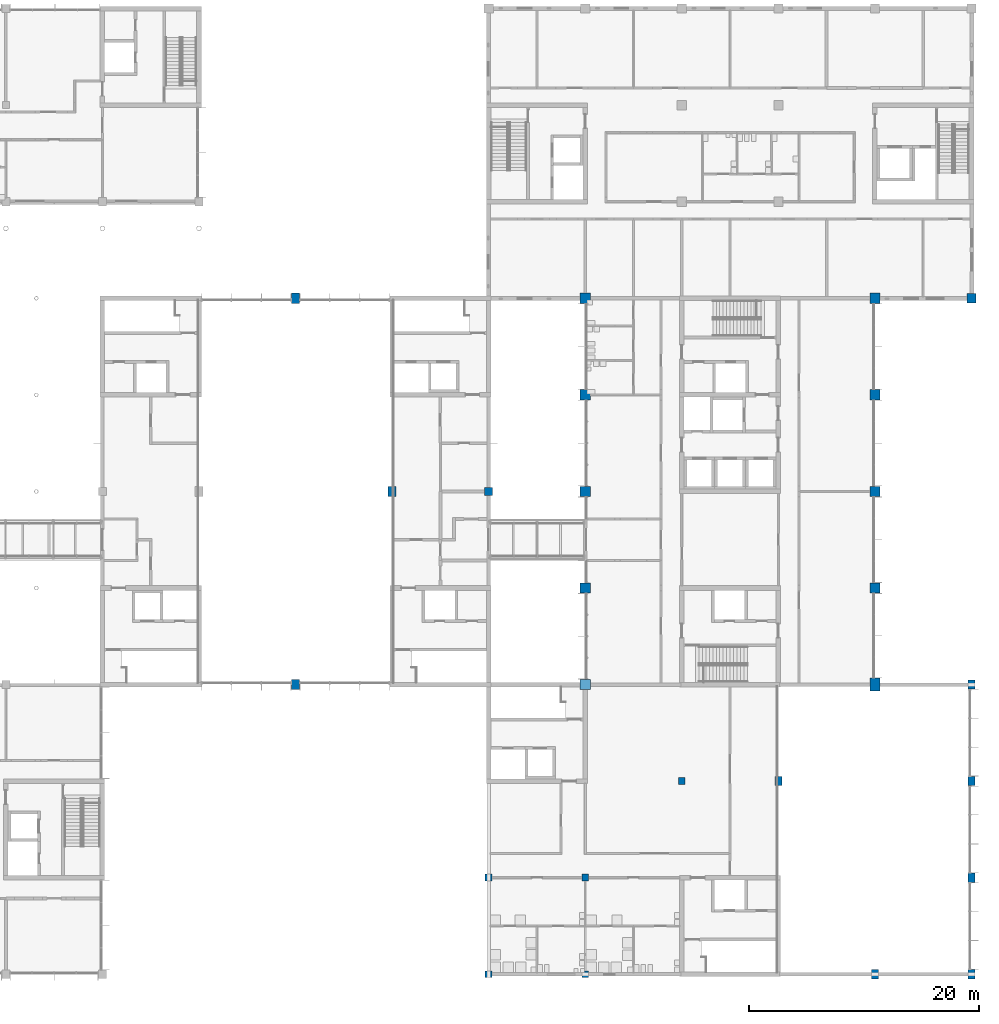
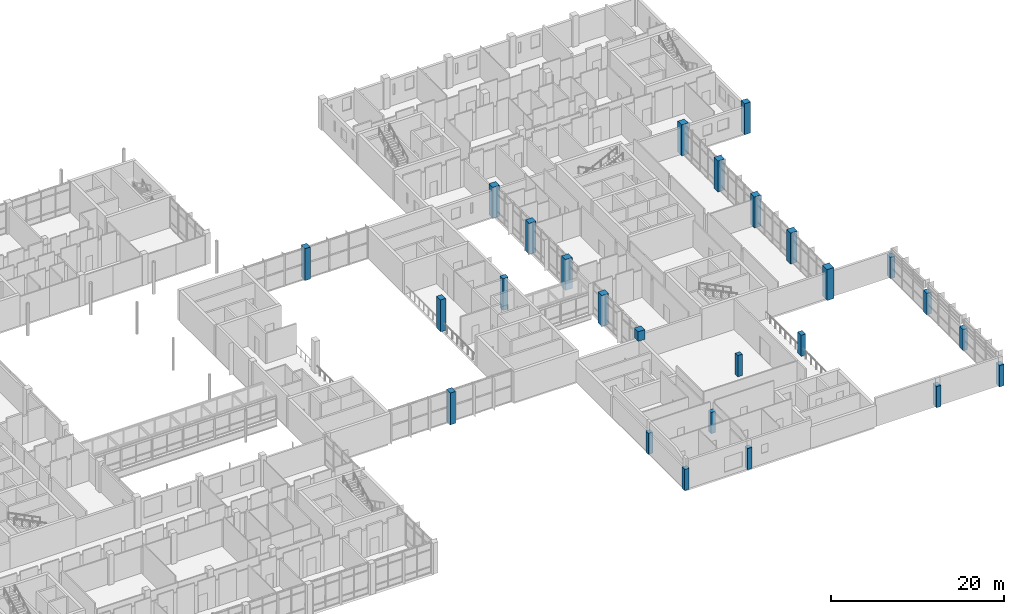
# One storey, part 3 of 70: 26 columns.
"""IFC4 building model written with IfcOpenShell, lengths in metres."""

from ifc_helpers import new_model, si_unit, direction, frame, origin, origin_2d, place, context, subcontext, project, spatial, rectangle, extrude, material, material_profile, profile_set, type_object, element, save


model = new_model("IFC4")

# Units and contexts
model_context = context("Model", 3, precision=1e-05, world=origin(), true_north=direction((0.0, 1.0)))
body_context = subcontext(model_context, "Body", "Model", "MODEL_VIEW")
ifc_project = project(units=[si_unit("LENGTHUNIT", "METRE"), si_unit("AREAUNIT", "SQUARE_METRE"), si_unit("VOLUMEUNIT", "CUBIC_METRE"), si_unit("PLANEANGLEUNIT", "RADIAN"), si_unit("MASSUNIT", "GRAM", prefix="KILO")], contexts=[model_context])

# Site, building, storey
site_placement = place(None, origin())
site = spatial("IfcSite", under=ifc_project, at=site_placement, CompositionType="ELEMENT")
building_placement = place(site_placement, origin())
building = spatial("IfcBuilding", under=site, at=building_placement, Name="Hlaing Beacon Police Headquarters", CompositionType="ELEMENT")
storey_placement = place(building_placement, frame((0.0, 0.0, 5.39990234375)))
storey = spatial("IfcBuildingStorey", under=building, at=storey_placement, Name="L01", CompositionType="ELEMENT", Elevation=5.39990234375)

# Columns
ifc_material_1 = material(Name="Concrete C50/60", Category="concrete")
ifc_material_profile_1 = material_profile(ifc_material_1, rectangle(XDim=0.60009765625, YDim=0.60009765625, at=origin_2d()), Name="600x600")
ifc_profile_set_1 = profile_set([ifc_material_profile_1], Name="Concrete C50/60")
column_type_1 = type_object("IfcColumnType", Name="RC column 600x600 C50/60", PredefinedType="COLUMN", material=ifc_profile_set_1)
for number, where, z_axis, x_axis, name in (
    (1, (92.39990234375, 8.39990234375, 0.0), (0.0, 0.0, 1.0), (1.0, 0.0, 0.0), "STR-COL-L01-M2"),
    (2, (92.39990234375, 16.800048828125, 0.0), (0.0, 0.0, 1.0), (1.0, 0.0, 0.0), "STR-COL-L01-M3"),
    (3, (100.800048828125, 8.39990234375, 0.0), (0.0, 0.0, 1.0), (1.0, 0.0, 0.0), "STR-COL-L01-N2"),
    (4, (100.800048828125, 16.800048828125, 0.0), (0.0, 0.0, 1.0), (1.0, 0.0, 0.0), "STR-COL-L01-N3"),
    (5, (109.199951171875, 25.199951171875, 0.0), (0.0, 0.0, 1.0), (1.0, 0.0, 0.0), "STR-COL-L01-P4"),
):
    element("IfcColumn", number, at=place(storey_placement, frame(where, z_axis=z_axis, x_axis=x_axis)), inside=storey, type_object=column_type_1, Name=name, PredefinedType="COLUMN", context=body_context, shape_type="SweptSolid", body=[
        extrude(rectangle(XDim=0.60009765625, YDim=0.60009765625, at=origin_2d()), origin(), (0.0, 0.0, 1.0), 3.0),
    ])
ifc_material_2 = material(Name="Concrete C50/60", Category="concrete")
ifc_material_profile_2 = material_profile(ifc_material_2, rectangle(XDim=0.60009765625, YDim=0.800048828125, at=origin_2d()), Name="600x800")
ifc_profile_set_2 = profile_set([ifc_material_profile_2], Name="Concrete C50/60")
column_type_2 = type_object("IfcColumnType", Name="RC column 600x800 C50/60", PredefinedType="COLUMN", material=ifc_profile_set_2)
for number, where, z_axis, x_axis, name in (
    (6, (117.60009765625, 25.199951171875, 0.0), (0.0, 0.0, 1.0), (1.0, 0.0, 0.0), "STR-COL-L01-Q4"),
    (7, (126.0, 8.39990234375, 0.0), (0.0, 0.0, 1.0), (1.0, 0.0, 0.0), "STR-COL-L01-R2"),
    (8, (134.39990234375, 8.39990234375, 0.0), (0.0, 0.0, 1.0), (1.0, 0.0, 0.0), "STR-COL-L01-S2"),
    (9, (134.39990234375, 16.800048828125, 0.0), (0.0, 0.0, 1.0), (1.0, 0.0, 0.0), "STR-COL-L01-S3"),
    (10, (134.39990234375, 25.199951171875, 0.0), (0.0, 0.0, 1.0), (1.0, 0.0, 0.0), "STR-COL-L01-S4"),
    (11, (134.39990234375, 33.60009765625, 0.0), (0.0, 0.0, 1.0), (1.0, 0.0, 0.0), "STR-COL-L01-S5"),
):
    element("IfcColumn", number, at=place(storey_placement, frame(where, z_axis=z_axis, x_axis=x_axis)), inside=storey, type_object=column_type_2, Name=name, PredefinedType="COLUMN", context=body_context, shape_type="SweptSolid", body=[
        extrude(rectangle(XDim=0.60009765625, YDim=0.800048828125, at=origin_2d()), origin(), (0.0, 0.0, 1.0), 3.0),
    ])
ifc_material_3 = material(Name="Concrete C50/60", Category="concrete")
ifc_material_profile_3 = material_profile(ifc_material_3, rectangle(XDim=0.699951171875, YDim=0.699951171875, at=origin_2d()), Name="700x700")
ifc_profile_set_3 = profile_set([ifc_material_profile_3], Name="Concrete C50/60")
column_type_3 = type_object("IfcColumnType", Name="RC column 700x700 C50/60", PredefinedType="COLUMN", material=ifc_profile_set_3)
column_1_placement = place(storey_placement, frame((92.39990234375, 50.39990234375, 0.0), z_axis=(0.0, 0.0, 1.0), x_axis=(1.0, 0.0, 0.0)))
element("IfcColumn", 12, at=column_1_placement, inside=storey, type_object=column_type_3, Name="STR-COL-L01-M7", PredefinedType="COLUMN", context=body_context, shape_type="SweptSolid", body=[
    extrude(rectangle(XDim=0.699951171875, YDim=0.699951171875, at=origin_2d()), origin(), (0.0, 0.0, 1.0), 4.5),
])
ifc_material_4 = material(Name="Concrete C50/60", Category="concrete")
ifc_material_profile_4 = material_profile(ifc_material_4, rectangle(XDim=0.699951171875, YDim=0.89990234375, at=origin_2d()), Name="700x900")
ifc_profile_set_4 = profile_set([ifc_material_profile_4], Name="Concrete C50/60")
column_type_4 = type_object("IfcColumnType", Name="RC column 700x900 C50/60", PredefinedType="COLUMN", material=ifc_profile_set_4)
for number, where, z_axis, x_axis, name in (
    (13, (75.60009765625, 33.60009765625, 0.0), (0.0, 0.0, 1.0), (1.0, 0.0, 0.0), "STR-COL-L01-K5"),
    (14, (75.60009765625, 67.199951171875, 0.0), (0.0, 0.0, 1.0), (1.0, 0.0, 0.0), "STR-COL-L01-K9"),
    (15, (84.0, 50.39990234375, 0.0), (0.0, 0.0, 1.0), (1.0, 0.0, 0.0), "STR-COL-L01-L7"),
):
    element("IfcColumn", number, at=place(storey_placement, frame(where, z_axis=z_axis, x_axis=x_axis)), inside=storey, type_object=column_type_4, Name=name, PredefinedType="COLUMN", context=body_context, shape_type="SweptSolid", body=[
        extrude(rectangle(XDim=0.699951171875, YDim=0.89990234375, at=origin_2d()), origin(), (0.0, 0.0, 1.0), 4.5),
    ])
ifc_material_5 = material(Name="Concrete C50/60", Category="concrete")
ifc_material_profile_5 = material_profile(ifc_material_5, rectangle(XDim=0.800048828125, YDim=0.800048828125, at=origin_2d()), Name="800x800")
ifc_profile_set_5 = profile_set([ifc_material_profile_5], Name="Concrete C50/60")
column_type_5 = type_object("IfcColumnType", Name="RC column 800x800 C50/60", PredefinedType="COLUMN", material=ifc_profile_set_5)
column_2_placement = place(storey_placement, frame((134.39990234375, 67.199951171875, 0.0), z_axis=(0.0, 0.0, 1.0), x_axis=(1.0, 0.0, 0.0)))
element("IfcColumn", 16, at=column_2_placement, inside=storey, type_object=column_type_5, Name="STR-COL-L01-S9", PredefinedType="COLUMN", context=body_context, shape_type="SweptSolid", body=[
    extrude(rectangle(XDim=0.800048828125, YDim=0.800048828125, at=origin_2d()), origin(), (0.0, 0.0, 1.0), 4.3701171875),
])
ifc_material_6 = material(Name="Concrete C60/75", Category="concrete")
ifc_material_profile_6 = material_profile(ifc_material_6, rectangle(XDim=0.89990234375, YDim=1.10009765625, at=origin_2d()), Name="900x1100")
ifc_profile_set_6 = profile_set([ifc_material_profile_6], Name="Concrete C60/75")
column_type_6 = type_object("IfcColumnType", Name="RC column 900x1100 C60/75", PredefinedType="COLUMN", material=ifc_profile_set_6)
column_3_placement = place(storey_placement, frame((126.0, 33.60009765625, 0.0), z_axis=(0.0, 0.0, 1.0), x_axis=(1.0, 0.0, 0.0)))
element("IfcColumn", 17, at=column_3_placement, inside=storey, type_object=column_type_6, Name="STR-COL-L01-R5", PredefinedType="COLUMN", context=body_context, shape_type="SweptSolid", body=[
    extrude(rectangle(XDim=0.89990234375, YDim=1.10009765625, at=origin_2d()), origin(), (0.0, 0.0, 1.0), 4.3701171875),
])
ifc_material_7 = material(Name="Concrete C60/75", Category="concrete")
ifc_material_profile_7 = material_profile(ifc_material_7, rectangle(XDim=0.89990234375, YDim=0.89990234375, at=origin_2d()), Name="900x900")
ifc_profile_set_7 = profile_set([ifc_material_profile_7], Name="Concrete C60/75")
column_type_7 = type_object("IfcColumnType", Name="RC column 900x900 C60/75", PredefinedType="COLUMN", material=ifc_profile_set_7)
column_4_placement = place(storey_placement, frame((100.800048828125, 33.60009765625, 3.0), z_axis=(0.0, 0.0, 1.0), x_axis=(1.0, 0.0, 0.0)))
element("IfcColumn", 18, at=column_4_placement, inside=storey, type_object=column_type_7, Name="STR-COL-L01-N5", PredefinedType="COLUMN", context=body_context, shape_type="SweptSolid", body=[
    extrude(rectangle(XDim=0.89990234375, YDim=0.89990234375, at=origin_2d()), origin(), (0.0, 0.0, 1.0), 1.3701171875),
])
for number, where, z_axis, x_axis, name in (
    (19, (100.800048828125, 42.0, 0.0), (0.0, 0.0, 1.0), (1.0, 0.0, 0.0), "STR-COL-L01-N6"),
    (20, (100.800048828125, 50.39990234375, 0.0), (0.0, 0.0, 1.0), (1.0, 0.0, 0.0), "STR-COL-L01-N7"),
    (21, (100.800048828125, 58.800048828125, 0.0), (0.0, 0.0, 1.0), (1.0, 0.0, 0.0), "STR-COL-L01-N8"),
    (22, (100.800048828125, 67.199951171875, 0.0), (0.0, 0.0, 1.0), (1.0, 0.0, 0.0), "STR-COL-L01-N9"),
    (23, (126.0, 42.0, 0.0), (0.0, 0.0, 1.0), (1.0, 0.0, 0.0), "STR-COL-L01-R6"),
    (24, (126.0, 50.39990234375, 0.0), (0.0, 0.0, 1.0), (1.0, 0.0, 0.0), "STR-COL-L01-R7"),
    (25, (126.0, 58.800048828125, 0.0), (0.0, 0.0, 1.0), (1.0, 0.0, 0.0), "STR-COL-L01-R8"),
    (26, (126.0, 67.199951171875, 0.0), (0.0, 0.0, 1.0), (1.0, 0.0, 0.0), "STR-COL-L01-R9"),
):
    element("IfcColumn", number, at=place(storey_placement, frame(where, z_axis=z_axis, x_axis=x_axis)), inside=storey, type_object=column_type_7, Name=name, PredefinedType="COLUMN", context=body_context, shape_type="SweptSolid", body=[
        extrude(rectangle(XDim=0.89990234375, YDim=0.89990234375, at=origin_2d()), origin(), (0.0, 0.0, 1.0), 4.3701171875),
    ])

save(model, "model.ifc")
